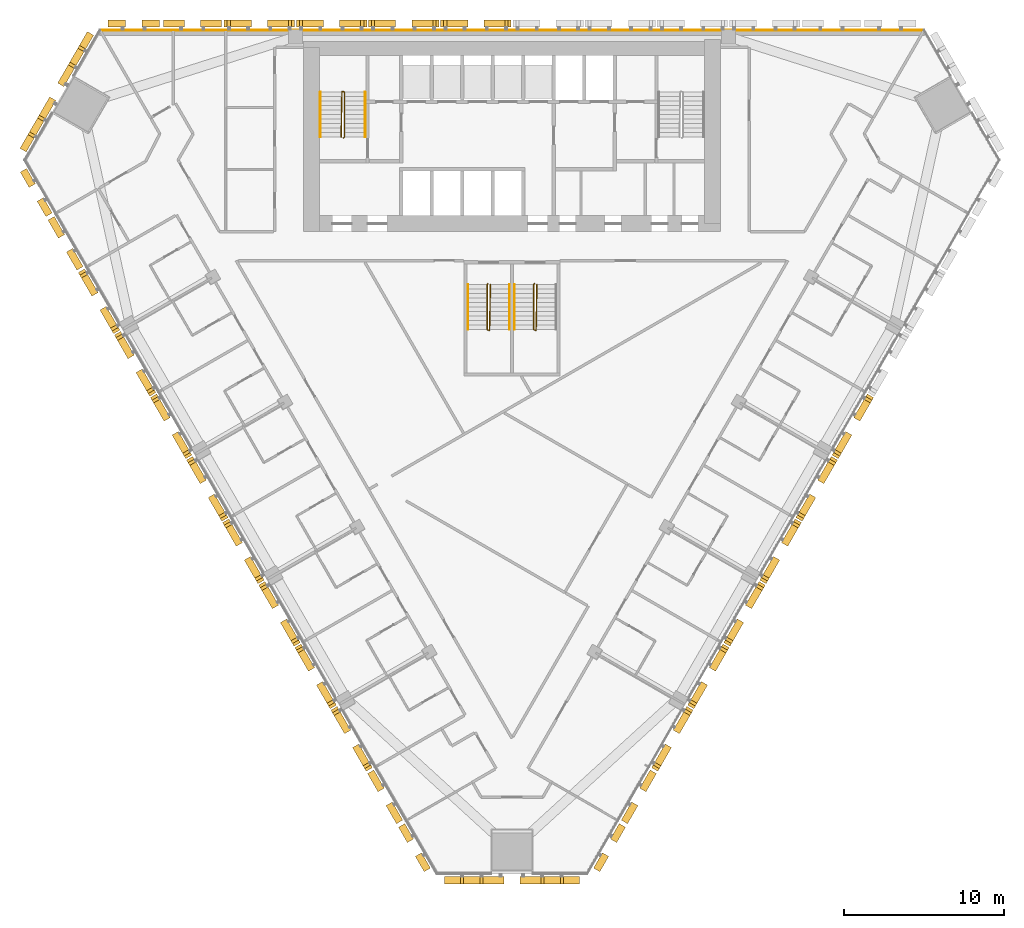
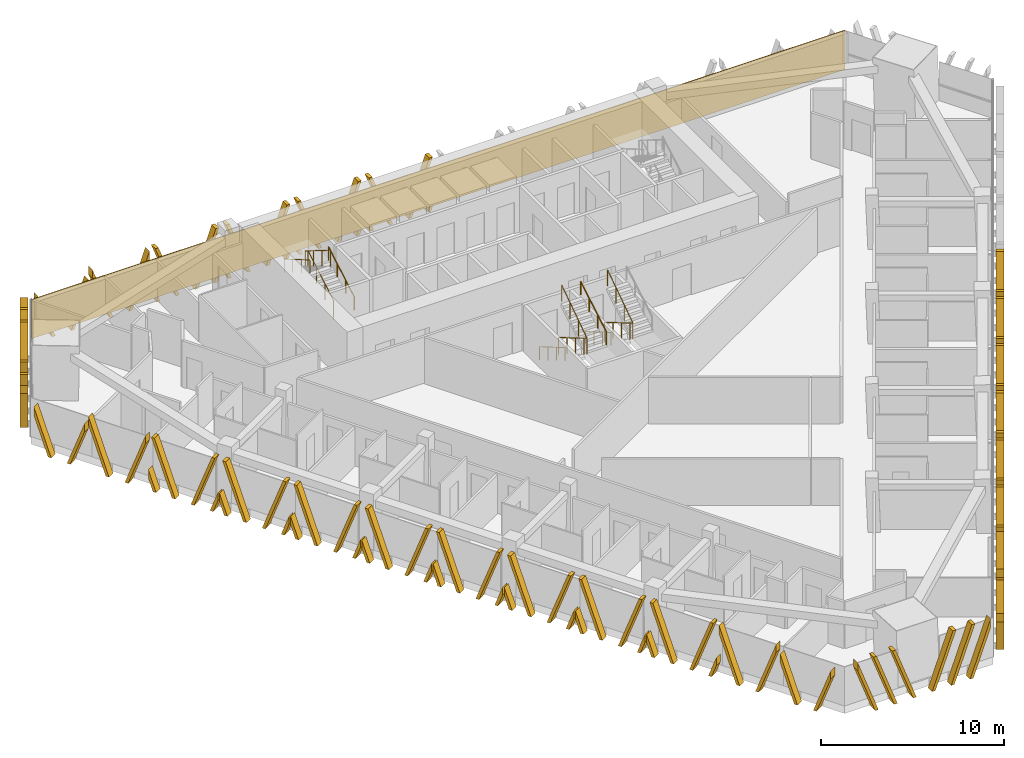
# One storey, part 15 of 17: 28 shading devices, 8 railings, 1 covering.
"""IFC4 building model written with IfcOpenShell, lengths in metres."""

from ifc_helpers import new_model, si_unit, direction, frame, frame_2d, origin, origin_2d, place, context, subcontext, project, spatial, polyline, rectangle, circle, outline, extrude, source, transform, mapped, material, layer, layer_set, type_object, element, save


model = new_model("IFC4")

# Units and contexts
model_context = context("Model", 3, precision=1e-05, world=origin(), true_north=direction((0.0, 1.0)))
body_context = subcontext(model_context, "Body", "Model", "MODEL_VIEW")
ifc_project = project(units=[si_unit("LENGTHUNIT", "METRE"), si_unit("AREAUNIT", "SQUARE_METRE"), si_unit("VOLUMEUNIT", "CUBIC_METRE"), si_unit("PLANEANGLEUNIT", "RADIAN"), si_unit("MASSUNIT", "GRAM", prefix="KILO")], contexts=[model_context])

# Site, building, storey
site_placement = place(None, origin())
site = spatial("IfcSite", under=ifc_project, at=site_placement, CompositionType="ELEMENT")
building_placement = place(site_placement, origin())
building = spatial("IfcBuilding", under=site, at=building_placement, Name="Altiplano Prism Tower", CompositionType="ELEMENT")
storey_placement = place(building_placement, frame((0.0, 0.0, 55.800048828125)))
storey = spatial("IfcBuildingStorey", under=building, at=storey_placement, Name="L13", CompositionType="ELEMENT", Elevation=55.800048828125)

# Railings
ifc_material_1 = material(Name="Steel S355", Category="steel")
railing_type_1 = type_object("IfcRailingType", Name="Stair guard 1100", PredefinedType="GUARDRAIL", material=ifc_material_1)
railing_1_placement = place(storey_placement, frame((74.5, 98.25, 0.0)))
element("IfcRailing", 1, at=railing_1_placement, inside=storey, type_object=railing_type_1, Name="L13 ST1 stair guard 1", PredefinedType="GUARDRAIL", context=body_context, shape_type="SweptSolid", body=[
    extrude(circle(Radius=0.02392578125, at=origin_2d()), frame((0.0, 0.0, 1.076171875), z_axis=(0.280808744504, 0.280808744504, 0.917765164963), x_axis=(-0.707106781187, 0.707106781187, 0.0)), (0.0, 0.0, 1.0), 0.17822265625),
    extrude(circle(Radius=0.02392578125, at=origin_2d()), frame((0.050048828125, 0.050048828125, 1.23974609375), z_axis=(0.0, 0.863360870873, 0.504586966384), x_axis=(-1.0, 0.0, 0.0)), (0.0, 0.0, 1.0), 3.2431640625),
    extrude(circle(Radius=0.02392578125, at=origin_2d()), frame((0.050048828125, 2.85009765625, 2.8759765625), z_axis=(-0.949145278916, 0.314838433982, 0.0), x_axis=(-0.314838433982, -0.949145278916, 0.0)), (0.0, 0.0, 1.0), 0.158203125),
    extrude(circle(Radius=0.02392578125, at=origin_2d()), frame((-0.10009765625, 2.89990234375, 2.8759765625), z_axis=(-0.014774583964, -0.845410385345, 0.533912906773), x_axis=(0.999847325713, -0.01747355902, 0.0)), (0.0, 0.0, 1.0), 3.370849609375),
    extrude(circle(Radius=0.02099609375, at=origin_2d()), origin(), (0.0, 0.0, 1.0), 1.052001953125),
    extrude(circle(Radius=0.02099609375, at=origin_2d()), frame((0.050048828125, 0.050048828125, 0.16357421875)), (0.0, 0.0, 1.0), 1.052001953125),
    extrude(circle(Radius=0.02099609375, at=origin_2d()), frame((0.050048828125, 0.9833984375, 0.708984375)), (0.0, 0.0, 1.0), 1.052001953125),
    extrude(circle(Radius=0.02099609375, at=origin_2d()), frame((0.050048828125, 1.916748046875, 1.254638671875)), (0.0, 0.0, 1.0), 1.052001953125),
    extrude(circle(Radius=0.02099609375, at=origin_2d()), frame((0.050048828125, 2.85009765625, 1.800048828125)), (0.0, 0.0, 1.0), 1.052001953125),
    extrude(circle(Radius=0.02099609375, at=origin_2d()), frame((-0.10009765625, 2.89990234375, 1.800048828125)), (0.0, 0.0, 1.0), 1.052001953125),
    extrude(circle(Radius=0.02099609375, at=origin_2d()), frame((-0.11669921875, 1.949951171875, 2.39990234375)), (0.0, 0.0, 1.0), 1.052001953125),
    extrude(circle(Radius=0.02099609375, at=origin_2d()), frame((-0.13330078125, 1.0, 3.0)), (0.0, 0.0, 1.0), 1.052001953125),
    extrude(circle(Radius=0.02099609375, at=origin_2d()), frame((-0.14990234375, 0.050048828125, 3.599853515625)), (0.0, 0.0, 1.0), 1.052001953125),
])
railing_2_placement = place(storey_placement, frame((83.5, 89.14990234375, 0.0)))
element("IfcRailing", 2, at=railing_2_placement, inside=storey, type_object=railing_type_1, Name="L13 ST3A stair guard 1", PredefinedType="GUARDRAIL", context=body_context, shape_type="SweptSolid", body=[
    extrude(circle(Radius=0.02392578125, at=origin_2d()), frame((0.0, 0.0, 1.076171875), z_axis=(-0.280916556609, -0.279546231943, 0.91811752648), x_axis=(0.705375805398, -0.708833529934, 0.0)), (0.0, 0.0, 1.0), 0.17822265625),
    extrude(circle(Radius=0.02392578125, at=origin_2d()), frame((-0.050048828125, -0.0498046875, 1.23974609375), z_axis=(0.0, -0.863360870873, 0.504586966384), x_axis=(1.0, 0.0, 0.0)), (0.0, 0.0, 1.0), 3.2431640625),
    extrude(circle(Radius=0.02392578125, at=origin_2d()), frame((-0.050048828125, -2.849853515625, 2.8759765625), z_axis=(0.948683298051, -0.316227766017, 0.0), x_axis=(0.316227766017, 0.948683298051, 0.0)), (0.0, 0.0, 1.0), 0.158203125),
    extrude(circle(Radius=0.02392578125, at=origin_2d()), frame((0.10009765625, -2.89990234375, 2.8759765625), z_axis=(0.014773679385, 0.845431044782, 0.53388021776), x_axis=(-0.999847351862, 0.017472062685, 0.0)), (0.0, 0.0, 1.0), 3.37109375),
    extrude(circle(Radius=0.02099609375, at=origin_2d()), origin(), (0.0, 0.0, 1.0), 1.052001953125),
    extrude(circle(Radius=0.02099609375, at=origin_2d()), frame((-0.050048828125, -0.0498046875, 0.16357421875)), (0.0, 0.0, 1.0), 1.052001953125),
    extrude(circle(Radius=0.02099609375, at=origin_2d()), frame((-0.050048828125, -0.983154296875, 0.708984375)), (0.0, 0.0, 1.0), 1.052001953125),
    extrude(circle(Radius=0.02099609375, at=origin_2d()), frame((-0.050048828125, -1.91650390625, 1.254638671875)), (0.0, 0.0, 1.0), 1.052001953125),
    extrude(circle(Radius=0.02099609375, at=origin_2d()), frame((-0.050048828125, -2.849853515625, 1.800048828125)), (0.0, 0.0, 1.0), 1.052001953125),
    extrude(circle(Radius=0.02099609375, at=origin_2d()), frame((0.10009765625, -2.89990234375, 1.800048828125)), (0.0, 0.0, 1.0), 1.052001953125),
    extrude(circle(Radius=0.02099609375, at=origin_2d()), frame((0.11669921875, -1.949951171875, 2.39990234375)), (0.0, 0.0, 1.0), 1.052001953125),
    extrude(circle(Radius=0.02099609375, at=origin_2d()), frame((0.13330078125, -0.999755859375, 3.0)), (0.0, 0.0, 1.0), 1.052001953125),
    extrude(circle(Radius=0.02099609375, at=origin_2d()), frame((0.14990234375, -0.0498046875, 3.599853515625)), (0.0, 0.0, 1.0), 1.052001953125),
])
railing_3_placement = place(storey_placement, frame((86.39990234375, 89.14990234375, 0.0)))
element("IfcRailing", 3, at=railing_3_placement, inside=storey, type_object=railing_type_1, Name="L13 ST3B stair guard 1", PredefinedType="GUARDRAIL", context=body_context, shape_type="SweptSolid", body=[
    extrude(circle(Radius=0.02392578125, at=origin_2d()), frame((0.0, 0.0, 1.076171875), z_axis=(-0.279653641804, -0.279653641804, 0.918470294159), x_axis=(0.707106781187, -0.707106781187, 0.0)), (0.0, 0.0, 1.0), 0.177978515625),
    extrude(circle(Radius=0.02392578125, at=origin_2d()), frame((-0.0498046875, -0.0498046875, 1.23974609375), z_axis=(0.0, -0.863360870873, 0.504586966384), x_axis=(1.0, 0.0, 0.0)), (0.0, 0.0, 1.0), 3.2431640625),
    extrude(circle(Radius=0.02392578125, at=origin_2d()), frame((-0.0498046875, -2.849853515625, 2.8759765625), z_axis=(0.948528701346, -0.316691178788, 0.0), x_axis=(0.316691178788, 0.948528701346, 0.0)), (0.0, 0.0, 1.0), 0.157958984375),
    extrude(circle(Radius=0.02392578125, at=origin_2d()), frame((0.10009765625, -2.89990234375, 2.8759765625), z_axis=(0.014846083459, 0.845430138032, 0.533879645158), x_axis=(-0.999845851991, 0.017557683712, 0.0)), (0.0, 0.0, 1.0), 3.37109375),
    extrude(circle(Radius=0.02099609375, at=origin_2d()), origin(), (0.0, 0.0, 1.0), 1.052001953125),
    extrude(circle(Radius=0.02099609375, at=origin_2d()), frame((-0.0498046875, -0.0498046875, 0.16357421875)), (0.0, 0.0, 1.0), 1.052001953125),
    extrude(circle(Radius=0.02099609375, at=origin_2d()), frame((-0.0498046875, -0.983154296875, 0.708984375)), (0.0, 0.0, 1.0), 1.052001953125),
    extrude(circle(Radius=0.02099609375, at=origin_2d()), frame((-0.0498046875, -1.91650390625, 1.254638671875)), (0.0, 0.0, 1.0), 1.052001953125),
    extrude(circle(Radius=0.02099609375, at=origin_2d()), frame((-0.0498046875, -2.849853515625, 1.800048828125)), (0.0, 0.0, 1.0), 1.052001953125),
    extrude(circle(Radius=0.02099609375, at=origin_2d()), frame((0.10009765625, -2.89990234375, 1.800048828125)), (0.0, 0.0, 1.0), 1.052001953125),
    extrude(circle(Radius=0.02099609375, at=origin_2d()), frame((0.11669921875, -1.949951171875, 2.39990234375)), (0.0, 0.0, 1.0), 1.052001953125),
    extrude(circle(Radius=0.02099609375, at=origin_2d()), frame((0.133544921875, -0.999755859375, 3.0)), (0.0, 0.0, 1.0), 1.052001953125),
    extrude(circle(Radius=0.02099609375, at=origin_2d()), frame((0.150146484375, -0.0498046875, 3.599853515625)), (0.0, 0.0, 1.0), 1.052001953125),
])
railing_type_2 = type_object("IfcRailingType", Name="Stair handrail 900", PredefinedType="HANDRAIL", material=ifc_material_1)
railing_4_placement = place(storey_placement, frame((75.85009765625, 98.300048828125, 0.16357421875)))
element("IfcRailing", 4, at=railing_4_placement, inside=storey, type_object=railing_type_2, Name="L13 ST1 stair handrail 1", PredefinedType="HANDRAIL", context=body_context, shape_type="SweptSolid", body=[
    extrude(circle(Radius=0.02392578125, at=origin_2d()), frame((0.0, 0.0, 0.8759765625), z_axis=(0.0, 0.863360870873, 0.504586966384), x_axis=(-1.0, 0.0, 0.0)), (0.0, 0.0, 1.0), 3.2431640625),
    extrude(circle(Radius=0.02099609375, at=origin_2d()), origin(), (0.0, 0.0, 1.0), 0.851806640625),
    extrude(circle(Radius=0.02099609375, at=origin_2d()), frame((0.0, 0.933349609375, 0.54541015625)), (0.0, 0.0, 1.0), 0.851806640625),
    extrude(circle(Radius=0.02099609375, at=origin_2d()), frame((0.0, 1.86669921875, 1.091064453125)), (0.0, 0.0, 1.0), 0.851806640625),
    extrude(circle(Radius=0.02099609375, at=origin_2d()), frame((0.0, 2.800048828125, 1.636474609375)), (0.0, 0.0, 1.0), 0.851806640625),
])
railing_5_placement = place(storey_placement, frame((73.050048828125, 101.10009765625, 1.963623046875)))
element("IfcRailing", 5, at=railing_5_placement, inside=storey, type_object=railing_type_2, Name="L13 ST1 stair handrail 2", PredefinedType="HANDRAIL", context=body_context, shape_type="SweptSolid", body=[
    extrude(circle(Radius=0.02392578125, at=origin_2d()), frame((0.0, 0.0, 0.8759765625), z_axis=(0.0, -0.863393664356, 0.504530851732), x_axis=(1.0, 0.0, 0.0)), (0.0, 0.0, 1.0), 3.2431640625),
    extrude(circle(Radius=0.02099609375, at=origin_2d()), origin(), (0.0, 0.0, 1.0), 0.851806640625),
    extrude(circle(Radius=0.02099609375, at=origin_2d()), frame((0.0, -0.933349609375, 0.54541015625)), (0.0, 0.0, 1.0), 0.851806640625),
    extrude(circle(Radius=0.02099609375, at=origin_2d()), frame((0.0, -1.86669921875, 1.0908203125)), (0.0, 0.0, 1.0), 0.851806640625),
    extrude(circle(Radius=0.02099609375, at=origin_2d()), frame((0.0, -2.800048828125, 1.63623046875)), (0.0, 0.0, 1.0), 0.851806640625),
])
railing_6_placement = place(storey_placement, frame((82.25, 89.10009765625, 0.16357421875)))
element("IfcRailing", 6, at=railing_6_placement, inside=storey, type_object=railing_type_2, Name="L13 ST3A stair handrail 1", PredefinedType="HANDRAIL", context=body_context, shape_type="SweptSolid", body=[
    extrude(circle(Radius=0.02392578125, at=origin_2d()), frame((0.0, 0.0, 0.8759765625), z_axis=(0.0, -0.863360870873, 0.504586966384), x_axis=(1.0, 0.0, 0.0)), (0.0, 0.0, 1.0), 3.2431640625),
    extrude(circle(Radius=0.02099609375, at=origin_2d()), origin(), (0.0, 0.0, 1.0), 0.851806640625),
    extrude(circle(Radius=0.02099609375, at=origin_2d()), frame((0.0, -0.933349609375, 0.54541015625)), (0.0, 0.0, 1.0), 0.851806640625),
    extrude(circle(Radius=0.02099609375, at=origin_2d()), frame((0.0, -1.86669921875, 1.091064453125)), (0.0, 0.0, 1.0), 0.851806640625),
    extrude(circle(Radius=0.02099609375, at=origin_2d()), frame((0.0, -2.800048828125, 1.636474609375)), (0.0, 0.0, 1.0), 0.851806640625),
])
railing_7_placement = place(storey_placement, frame((84.85009765625, 86.300048828125, 1.963623046875)))
element("IfcRailing", 7, at=railing_7_placement, inside=storey, type_object=railing_type_2, Name="L13 ST3A stair handrail 2", PredefinedType="HANDRAIL", context=body_context, shape_type="SweptSolid", body=[
    extrude(circle(Radius=0.02392578125, at=origin_2d()), frame((0.0, 0.0, 0.8759765625), z_axis=(0.0, 0.863393664356, 0.504530851732), x_axis=(-1.0, 0.0, 0.0)), (0.0, 0.0, 1.0), 3.2431640625),
    extrude(circle(Radius=0.02099609375, at=origin_2d()), origin(), (0.0, 0.0, 1.0), 0.851806640625),
    extrude(circle(Radius=0.02099609375, at=origin_2d()), frame((0.0, 0.933349609375, 0.54541015625)), (0.0, 0.0, 1.0), 0.851806640625),
    extrude(circle(Radius=0.02099609375, at=origin_2d()), frame((0.0, 1.86669921875, 1.0908203125)), (0.0, 0.0, 1.0), 0.851806640625),
    extrude(circle(Radius=0.02099609375, at=origin_2d()), frame((0.0, 2.800048828125, 1.63623046875)), (0.0, 0.0, 1.0), 0.851806640625),
])
railing_8_placement = place(storey_placement, frame((85.14990234375, 89.10009765625, 0.16357421875)))
element("IfcRailing", 8, at=railing_8_placement, inside=storey, type_object=railing_type_2, Name="L13 ST3B stair handrail 1", PredefinedType="HANDRAIL", context=body_context, shape_type="SweptSolid", body=[
    extrude(circle(Radius=0.02392578125, at=origin_2d()), frame((0.0, 0.0, 0.8759765625), z_axis=(0.0, -0.863360870873, 0.504586966384), x_axis=(1.0, 0.0, 0.0)), (0.0, 0.0, 1.0), 3.2431640625),
    extrude(circle(Radius=0.02099609375, at=origin_2d()), origin(), (0.0, 0.0, 1.0), 0.851806640625),
    extrude(circle(Radius=0.02099609375, at=origin_2d()), frame((0.0, -0.933349609375, 0.54541015625)), (0.0, 0.0, 1.0), 0.851806640625),
    extrude(circle(Radius=0.02099609375, at=origin_2d()), frame((0.0, -1.86669921875, 1.091064453125)), (0.0, 0.0, 1.0), 0.851806640625),
    extrude(circle(Radius=0.02099609375, at=origin_2d()), frame((0.0, -2.800048828125, 1.636474609375)), (0.0, 0.0, 1.0), 0.851806640625),
])

# Covering
ifc_material_2 = material(Name="Warm limestone cast stone", Category="masonry")
ifc_layer = layer(ifc_material_2, 0.06005859375)
ifc_layer_set = layer_set([ifc_layer], Name="Warm limestone cast stone")
covering_type = type_object("IfcCoveringType", Name="Stone cladding 60", PredefinedType="CLADDING", material=ifc_layer_set)
covering_placement = place(storey_placement, frame((59.291015625, 104.969970703125, 0.0), z_axis=(0.0, 0.0, 1.0), x_axis=(1.0, 0.0, 0.0)))
element("IfcCovering", 9, at=covering_placement, inside=storey, type_object=covering_type, Name="Stone cladding north face L13", PredefinedType="CLADDING", context=body_context, shape_type="SweptSolid", body=[
    extrude(rectangle(XDim=51.41796875, YDim=0.06005859375, at=frame_2d((25.708984375, 0.0))), origin(), (0.0, 0.0, 1.0), 2.599853515625),
])

# Shading devices
shading_device_type_1 = type_object("IfcShadingDeviceType", Name="Stone fin panel, narrow closing bay", PredefinedType="USERDEFINED", material=ifc_material_2)
shared_shape_1 = source(origin(), body_context, "Body", "SweptSolid", [
    extrude(outline(polyline([(-1.60009765625, 3.022216796875), (-1.60009765625, 2.47265625), (-0.699951171875, 0.0), (-0.5, 0.0), (-1.60009765625, 3.022216796875)])), frame((0.0, -0.14990234375, 0.0), z_axis=(0.0, -1.0, 0.0), x_axis=(1.0, 0.0, 0.0)), (0.0, 0.0, 1.0), 0.4501953125),
    extrude(outline(polyline([(1.60009765625, 2.47265625), (1.60009765625, 3.022216796875), (0.5, 0.0), (0.699951171875, 0.0), (1.60009765625, 2.47265625)])), frame((0.0, -0.14990234375, 0.0), z_axis=(0.0, -1.0, 0.0), x_axis=(1.0, 0.0, 0.0)), (0.0, 0.0, 1.0), 0.4501953125),
])
shading_device_1_placement = place(storey_placement, origin())
element("IfcShadingDevice", 10, at=shading_device_1_placement, inside=storey, type_object=shading_device_type_1, Name="Fin L13 north face 12", ObjectType="FIN", PredefinedType="USERDEFINED", context=body_context, shape_type="MappedRepresentation", body=[
    mapped(shared_shape_1, transform((61.418212890625, 105.0, -0.5), x_axis=(-1.0, 0.0, 0.0), y_axis=(0.0, -1.0, 0.0), z_axis=(0.0, 0.0, 1.0))),
])
shading_device_2_placement = place(storey_placement, origin())
element("IfcShadingDevice", 11, at=shading_device_2_placement, inside=storey, type_object=shading_device_type_1, Name="Fin L13 south-west face 1", ObjectType="FIN", PredefinedType="USERDEFINED", context=body_context, shape_type="MappedRepresentation", body=[
    mapped(shared_shape_1, transform((55.66259765625, 95.03076171875, -0.5), x_axis=(0.499999992175, -0.866025408302, 0.0), y_axis=(0.866025408302, 0.499999992175, 0.0), z_axis=(0.0, 0.0, 1.0))),
])
shading_device_3_placement = place(storey_placement, origin())
element("IfcShadingDevice", 12, at=shading_device_3_placement, inside=storey, type_object=shading_device_type_1, Name="Fin L13 south-west face 12", ObjectType="FIN", PredefinedType="USERDEFINED", context=body_context, shape_type="MappedRepresentation", body=[
    mapped(shared_shape_1, transform((79.244140625, 54.18603515625, -0.5), x_axis=(0.499999992175, -0.866025408302, 0.0), y_axis=(0.866025408302, 0.499999992175, 0.0), z_axis=(0.0, 0.0, 1.0))),
])
shading_device_4_placement = place(storey_placement, origin())
element("IfcShadingDevice", 13, at=shading_device_4_placement, inside=storey, type_object=shading_device_type_1, Name="Fin L13 south-east face 1", ObjectType="FIN", PredefinedType="USERDEFINED", context=body_context, shape_type="MappedRepresentation", body=[
    mapped(shared_shape_1, transform((90.755859375, 54.18603515625, -0.5), x_axis=(0.499999992175, 0.866025408302, 0.0), y_axis=(-0.866025408302, 0.499999992175, 0.0), z_axis=(0.0, 0.0, 1.0))),
])
shading_device_type_2 = type_object("IfcShadingDeviceType", Name="Stone fin panel, standard unit", PredefinedType="USERDEFINED", material=ifc_material_2)
shared_shape_2 = source(origin(), body_context, "Body", "SweptSolid", [
    extrude(outline(polyline([(-2.199951171875, 1.373779296875), (-2.199951171875, 0.82421875), (-1.89990234375, 0.0), (-1.699951171875, 0.0), (-2.199951171875, 1.373779296875)])), frame((0.0, -0.14990234375, 0.0), z_axis=(0.0, -1.0, 0.0), x_axis=(1.0, 0.0, 0.0)), (0.0, 0.0, 1.0), 0.4501953125),
    extrude(outline(polyline([(-2.01025390625, 3.60009765625), (-0.699951171875, 0.0), (-0.5, 0.0), (-1.810302734375, 3.60009765625), (-2.01025390625, 3.60009765625)])), frame((0.0, -0.14990234375, 0.0), z_axis=(0.0, -1.0, 0.0), x_axis=(1.0, 0.0, 0.0)), (0.0, 0.0, 1.0), 0.4501953125),
    extrude(outline(polyline([(1.810302734375, 3.60009765625), (0.5, 0.0), (0.699951171875, 0.0), (2.01025390625, 3.60009765625), (1.810302734375, 3.60009765625)])), frame((0.0, -0.14990234375, 0.0), z_axis=(0.0, -1.0, 0.0), x_axis=(1.0, 0.0, 0.0)), (0.0, 0.0, 1.0), 0.4501953125),
    extrude(outline(polyline([(2.199951171875, 0.82421875), (2.199951171875, 1.373779296875), (1.699951171875, 0.0), (1.89990234375, 0.0), (2.199951171875, 0.82421875)])), frame((0.0, -0.14990234375, 0.0), z_axis=(0.0, -1.0, 0.0), x_axis=(1.0, 0.0, 0.0)), (0.0, 0.0, 1.0), 0.4501953125),
])
shading_device_5_placement = place(storey_placement, origin())
element("IfcShadingDevice", 14, at=shading_device_5_placement, inside=storey, type_object=shading_device_type_2, Name="Fin L13 north face 7", ObjectType="FIN", PredefinedType="USERDEFINED", context=body_context, shape_type="MappedRepresentation", body=[
    mapped(shared_shape_2, transform((82.75, 105.0, -0.5), x_axis=(-1.0, 0.0, 0.0), y_axis=(0.0, -1.0, 0.0), z_axis=(0.0, 0.0, 1.0))),
])
shading_device_6_placement = place(storey_placement, origin())
element("IfcShadingDevice", 15, at=shading_device_6_placement, inside=storey, type_object=shading_device_type_2, Name="Fin L13 north face 8", ObjectType="FIN", PredefinedType="USERDEFINED", context=body_context, shape_type="MappedRepresentation", body=[
    mapped(shared_shape_2, transform((78.25, 105.0, -0.5), x_axis=(-1.0, 0.0, 0.0), y_axis=(0.0, -1.0, 0.0), z_axis=(0.0, 0.0, 1.0))),
])
shading_device_7_placement = place(storey_placement, origin())
element("IfcShadingDevice", 16, at=shading_device_7_placement, inside=storey, type_object=shading_device_type_2, Name="Fin L13 north face 9", ObjectType="FIN", PredefinedType="USERDEFINED", context=body_context, shape_type="MappedRepresentation", body=[
    mapped(shared_shape_2, transform((73.75, 105.0, -0.5), x_axis=(-1.0, 0.0, 0.0), y_axis=(0.0, -1.0, 0.0), z_axis=(0.0, 0.0, 1.0))),
])
shading_device_8_placement = place(storey_placement, origin())
element("IfcShadingDevice", 17, at=shading_device_8_placement, inside=storey, type_object=shading_device_type_2, Name="Fin L13 north face 10", ObjectType="FIN", PredefinedType="USERDEFINED", context=body_context, shape_type="MappedRepresentation", body=[
    mapped(shared_shape_2, transform((69.25, 105.0, -0.5), x_axis=(-1.0, 0.0, 0.0), y_axis=(0.0, -1.0, 0.0), z_axis=(0.0, 0.0, 1.0))),
])
shading_device_9_placement = place(storey_placement, origin())
element("IfcShadingDevice", 18, at=shading_device_9_placement, inside=storey, type_object=shading_device_type_2, Name="Fin L13 south-west face 3", ObjectType="FIN", PredefinedType="USERDEFINED", context=body_context, shape_type="MappedRepresentation", body=[
    mapped(shared_shape_2, transform((59.578369140625, 88.248291015625, -0.5), x_axis=(0.499999992175, -0.866025408302, 0.0), y_axis=(0.866025408302, 0.499999992175, 0.0), z_axis=(0.0, 0.0, 1.0))),
])
shading_device_10_placement = place(storey_placement, origin())
element("IfcShadingDevice", 19, at=shading_device_10_placement, inside=storey, type_object=shading_device_type_2, Name="Fin L13 south-west face 4", ObjectType="FIN", PredefinedType="USERDEFINED", context=body_context, shape_type="MappedRepresentation", body=[
    mapped(shared_shape_2, transform((61.828369140625, 84.35107421875, -0.5), x_axis=(0.499999992175, -0.866025408302, 0.0), y_axis=(0.866025408302, 0.499999992175, 0.0), z_axis=(0.0, 0.0, 1.0))),
])
shading_device_11_placement = place(storey_placement, origin())
element("IfcShadingDevice", 20, at=shading_device_11_placement, inside=storey, type_object=shading_device_type_2, Name="Fin L13 south-west face 5", ObjectType="FIN", PredefinedType="USERDEFINED", context=body_context, shape_type="MappedRepresentation", body=[
    mapped(shared_shape_2, transform((64.078369140625, 80.4541015625, -0.5), x_axis=(0.499999992175, -0.866025408302, 0.0), y_axis=(0.866025408302, 0.499999992175, 0.0), z_axis=(0.0, 0.0, 1.0))),
])
shading_device_12_placement = place(storey_placement, origin())
element("IfcShadingDevice", 21, at=shading_device_12_placement, inside=storey, type_object=shading_device_type_2, Name="Fin L13 south-west face 6", ObjectType="FIN", PredefinedType="USERDEFINED", context=body_context, shape_type="MappedRepresentation", body=[
    mapped(shared_shape_2, transform((66.328369140625, 76.556884765625, -0.5), x_axis=(0.499999992175, -0.866025408302, 0.0), y_axis=(0.866025408302, 0.499999992175, 0.0), z_axis=(0.0, 0.0, 1.0))),
])
shading_device_13_placement = place(storey_placement, origin())
element("IfcShadingDevice", 22, at=shading_device_13_placement, inside=storey, type_object=shading_device_type_2, Name="Fin L13 south-west face 7", ObjectType="FIN", PredefinedType="USERDEFINED", context=body_context, shape_type="MappedRepresentation", body=[
    mapped(shared_shape_2, transform((68.578369140625, 72.659912109375, -0.5), x_axis=(0.499999992175, -0.866025408302, 0.0), y_axis=(0.866025408302, 0.499999992175, 0.0), z_axis=(0.0, 0.0, 1.0))),
])
shading_device_14_placement = place(storey_placement, origin())
element("IfcShadingDevice", 23, at=shading_device_14_placement, inside=storey, type_object=shading_device_type_2, Name="Fin L13 south-west face 8", ObjectType="FIN", PredefinedType="USERDEFINED", context=body_context, shape_type="MappedRepresentation", body=[
    mapped(shared_shape_2, transform((70.828369140625, 68.7626953125, -0.5), x_axis=(0.499999992175, -0.866025408302, 0.0), y_axis=(0.866025408302, 0.499999992175, 0.0), z_axis=(0.0, 0.0, 1.0))),
])
shading_device_15_placement = place(storey_placement, origin())
element("IfcShadingDevice", 24, at=shading_device_15_placement, inside=storey, type_object=shading_device_type_2, Name="Fin L13 south-west face 9", ObjectType="FIN", PredefinedType="USERDEFINED", context=body_context, shape_type="MappedRepresentation", body=[
    mapped(shared_shape_2, transform((73.078369140625, 64.865478515625, -0.5), x_axis=(0.499999992175, -0.866025408302, 0.0), y_axis=(0.866025408302, 0.499999992175, 0.0), z_axis=(0.0, 0.0, 1.0))),
])
shading_device_16_placement = place(storey_placement, origin())
element("IfcShadingDevice", 25, at=shading_device_16_placement, inside=storey, type_object=shading_device_type_2, Name="Fin L13 south-west face 10", ObjectType="FIN", PredefinedType="USERDEFINED", context=body_context, shape_type="MappedRepresentation", body=[
    mapped(shared_shape_2, transform((75.328369140625, 60.968505859375, -0.5), x_axis=(0.499999992175, -0.866025408302, 0.0), y_axis=(0.866025408302, 0.499999992175, 0.0), z_axis=(0.0, 0.0, 1.0))),
])
shading_device_17_placement = place(storey_placement, origin())
element("IfcShadingDevice", 26, at=shading_device_17_placement, inside=storey, type_object=shading_device_type_2, Name="Fin L13 south-east face 3", ObjectType="FIN", PredefinedType="USERDEFINED", context=body_context, shape_type="MappedRepresentation", body=[
    mapped(shared_shape_2, transform((94.671630859375, 60.968505859375, -0.5), x_axis=(0.499999992175, 0.866025408302, 0.0), y_axis=(-0.866025408302, 0.499999992175, 0.0), z_axis=(0.0, 0.0, 1.0))),
])
shading_device_18_placement = place(storey_placement, origin())
element("IfcShadingDevice", 27, at=shading_device_18_placement, inside=storey, type_object=shading_device_type_2, Name="Fin L13 south-east face 4", ObjectType="FIN", PredefinedType="USERDEFINED", context=body_context, shape_type="MappedRepresentation", body=[
    mapped(shared_shape_2, transform((96.921630859375, 64.865478515625, -0.5), x_axis=(0.499999992175, 0.866025408302, 0.0), y_axis=(-0.866025408302, 0.499999992175, 0.0), z_axis=(0.0, 0.0, 1.0))),
])
shading_device_19_placement = place(storey_placement, origin())
element("IfcShadingDevice", 28, at=shading_device_19_placement, inside=storey, type_object=shading_device_type_2, Name="Fin L13 south-east face 5", ObjectType="FIN", PredefinedType="USERDEFINED", context=body_context, shape_type="MappedRepresentation", body=[
    mapped(shared_shape_2, transform((99.171630859375, 68.7626953125, -0.5), x_axis=(0.499999992175, 0.866025408302, 0.0), y_axis=(-0.866025408302, 0.499999992175, 0.0), z_axis=(0.0, 0.0, 1.0))),
])
shading_device_20_placement = place(storey_placement, origin())
element("IfcShadingDevice", 29, at=shading_device_20_placement, inside=storey, type_object=shading_device_type_2, Name="Fin L13 south-east face 6", ObjectType="FIN", PredefinedType="USERDEFINED", context=body_context, shape_type="MappedRepresentation", body=[
    mapped(shared_shape_2, transform((101.421630859375, 72.659912109375, -0.5), x_axis=(0.499999992175, 0.866025408302, 0.0), y_axis=(-0.866025408302, 0.499999992175, 0.0), z_axis=(0.0, 0.0, 1.0))),
])
shading_device_21_placement = place(storey_placement, origin())
element("IfcShadingDevice", 30, at=shading_device_21_placement, inside=storey, type_object=shading_device_type_2, Name="Fin L13 south-east face 7", ObjectType="FIN", PredefinedType="USERDEFINED", context=body_context, shape_type="MappedRepresentation", body=[
    mapped(shared_shape_2, transform((103.671630859375, 76.556884765625, -0.5), x_axis=(0.499999992175, 0.866025408302, 0.0), y_axis=(-0.866025408302, 0.499999992175, 0.0), z_axis=(0.0, 0.0, 1.0))),
])
shading_device_22_placement = place(storey_placement, origin())
element("IfcShadingDevice", 31, at=shading_device_22_placement, inside=storey, type_object=shading_device_type_2, Name="Fin L13 south-east face 8", ObjectType="FIN", PredefinedType="USERDEFINED", context=body_context, shape_type="MappedRepresentation", body=[
    mapped(shared_shape_2, transform((105.921630859375, 80.4541015625, -0.5), x_axis=(0.499999992175, 0.866025408302, 0.0), y_axis=(-0.866025408302, 0.499999992175, 0.0), z_axis=(0.0, 0.0, 1.0))),
])
shared_shape_3 = source(origin(), body_context, "Body", "SweptSolid", [
    extrude(outline(polyline([(-1.800048828125, 3.57177734375), (-1.800048828125, 3.022216796875), (-0.699951171875, 0.0), (-0.5, 0.0), (-1.800048828125, 3.57177734375)])), frame((0.0, -0.14990234375, 0.0), z_axis=(0.0, -1.0, 0.0), x_axis=(1.0, 0.0, 0.0)), (0.0, 0.0, 1.0), 0.4501953125),
    extrude(outline(polyline([(1.800048828125, 3.022216796875), (1.800048828125, 3.57177734375), (0.5, 0.0), (0.699951171875, 0.0), (1.800048828125, 3.022216796875)])), frame((0.0, -0.14990234375, 0.0), z_axis=(0.0, -1.0, 0.0), x_axis=(1.0, 0.0, 0.0)), (0.0, 0.0, 1.0), 0.4501953125),
])
shading_device_23_placement = place(storey_placement, origin())
element("IfcShadingDevice", 32, at=shading_device_23_placement, inside=storey, type_object=shading_device_type_1, Name="Fin L13 north face 11", ObjectType="FIN", PredefinedType="USERDEFINED", context=body_context, shape_type="MappedRepresentation", body=[
    mapped(shared_shape_3, transform((65.07275390625, 105.0, -0.5), x_axis=(-1.0, 0.0, 0.0), y_axis=(0.0, -1.0, 0.0), z_axis=(0.0, 0.0, 1.0))),
])
shading_device_24_placement = place(storey_placement, origin())
element("IfcShadingDevice", 33, at=shading_device_24_placement, inside=storey, type_object=shading_device_type_1, Name="Fin L13 south-west face 2", ObjectType="FIN", PredefinedType="USERDEFINED", context=body_context, shape_type="MappedRepresentation", body=[
    mapped(shared_shape_3, transform((57.48974609375, 91.865966796875, -0.5), x_axis=(0.499999992175, -0.866025408302, 0.0), y_axis=(0.866025408302, 0.499999992175, 0.0), z_axis=(0.0, 0.0, 1.0))),
])
shading_device_25_placement = place(storey_placement, origin())
element("IfcShadingDevice", 34, at=shading_device_25_placement, inside=storey, type_object=shading_device_type_1, Name="Fin L13 south-west face 11", ObjectType="FIN", PredefinedType="USERDEFINED", context=body_context, shape_type="MappedRepresentation", body=[
    mapped(shared_shape_3, transform((77.4169921875, 57.350830078125, -0.5), x_axis=(0.499999992175, -0.866025408302, 0.0), y_axis=(0.866025408302, 0.499999992175, 0.0), z_axis=(0.0, 0.0, 1.0))),
])
shading_device_26_placement = place(storey_placement, origin())
element("IfcShadingDevice", 35, at=shading_device_26_placement, inside=storey, type_object=shading_device_type_1, Name="Fin L13 south-east face 2", ObjectType="FIN", PredefinedType="USERDEFINED", context=body_context, shape_type="MappedRepresentation", body=[
    mapped(shared_shape_3, transform((92.5830078125, 57.350830078125, -0.5), x_axis=(0.499999992175, 0.866025408302, 0.0), y_axis=(-0.866025408302, 0.499999992175, 0.0), z_axis=(0.0, 0.0, 1.0))),
])
shading_device_type_3 = type_object("IfcShadingDeviceType", Name="Stone fin panel, chamfer unit", PredefinedType="USERDEFINED", material=ifc_material_2)
shared_shape_4 = source(origin(), body_context, "Body", "SweptSolid", [
    extrude(outline(polyline([(-4.199951171875, 3.57177734375), (-4.199951171875, 3.022216796875), (-3.10009765625, 0.0), (-2.89990234375, 0.0), (-4.199951171875, 3.57177734375)])), frame((0.0, -0.14990234375, 0.0), z_axis=(0.0, -1.0, 0.0), x_axis=(1.0, 0.0, 0.0)), (0.0, 0.0, 1.0), 0.4501953125),
    extrude(outline(polyline([(-3.210205078125, 3.60009765625), (-1.89990234375, 0.0), (-1.699951171875, 0.0), (-3.01025390625, 3.60009765625), (-3.210205078125, 3.60009765625)])), frame((0.0, -0.14990234375, 0.0), z_axis=(0.0, -1.0, 0.0), x_axis=(1.0, 0.0, 0.0)), (0.0, 0.0, 1.0), 0.4501953125),
    extrude(outline(polyline([(-2.01025390625, 3.60009765625), (-0.699951171875, 0.0), (-0.5, 0.0), (-1.810302734375, 3.60009765625), (-2.01025390625, 3.60009765625)])), frame((0.0, -0.14990234375, 0.0), z_axis=(0.0, -1.0, 0.0), x_axis=(1.0, 0.0, 0.0)), (0.0, 0.0, 1.0), 0.4501953125),
    extrude(outline(polyline([(1.810302734375, 3.60009765625), (0.5, 0.0), (0.699951171875, 0.0), (2.01025390625, 3.60009765625), (1.810302734375, 3.60009765625)])), frame((0.0, -0.14990234375, 0.0), z_axis=(0.0, -1.0, 0.0), x_axis=(1.0, 0.0, 0.0)), (0.0, 0.0, 1.0), 0.4501953125),
    extrude(outline(polyline([(3.01025390625, 3.60009765625), (1.699951171875, 0.0), (1.89990234375, 0.0), (3.210205078125, 3.60009765625), (3.01025390625, 3.60009765625)])), frame((0.0, -0.14990234375, 0.0), z_axis=(0.0, -1.0, 0.0), x_axis=(1.0, 0.0, 0.0)), (0.0, 0.0, 1.0), 0.4501953125),
    extrude(outline(polyline([(4.199951171875, 3.022216796875), (4.199951171875, 3.57177734375), (2.89990234375, 0.0), (3.10009765625, 0.0), (4.199951171875, 3.022216796875)])), frame((0.0, -0.14990234375, 0.0), z_axis=(0.0, -1.0, 0.0), x_axis=(1.0, 0.0, 0.0)), (0.0, 0.0, 1.0), 0.4501953125),
])
shading_device_27_placement = place(storey_placement, origin())
element("IfcShadingDevice", 36, at=shading_device_27_placement, inside=storey, type_object=shading_device_type_3, Name="Fin L13 north-west chamfer 1", ObjectType="FIN", PredefinedType="USERDEFINED", context=body_context, shape_type="MappedRepresentation", body=[
    mapped(shared_shape_4, transform((56.945068359375, 100.9365234375, -0.5), x_axis=(-0.500000056946, -0.866025370907, 0.0), y_axis=(0.866025370907, -0.500000056946, 0.0), z_axis=(0.0, 0.0, 1.0))),
])
shading_device_28_placement = place(storey_placement, origin())
element("IfcShadingDevice", 37, at=shading_device_28_placement, inside=storey, type_object=shading_device_type_3, Name="Fin L13 south chamfer 1", ObjectType="FIN", PredefinedType="USERDEFINED", context=body_context, shape_type="MappedRepresentation", body=[
    mapped(shared_shape_4, transform((85.0, 52.34375, -0.5), x_axis=(1.0, 0.0, 0.0), y_axis=(0.0, 1.0, 0.0), z_axis=(0.0, 0.0, 1.0))),
])

save(model, "model.ifc")
